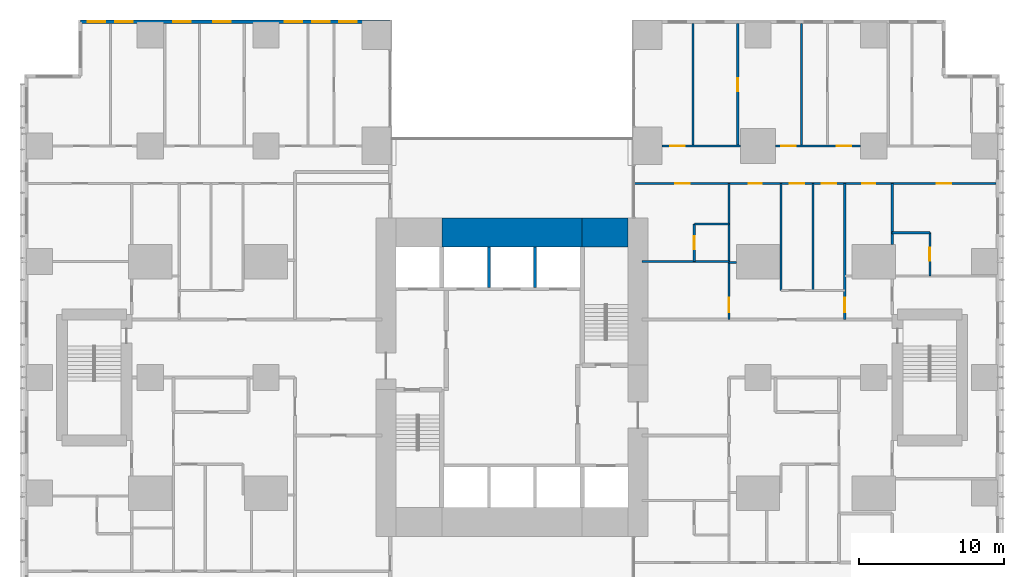
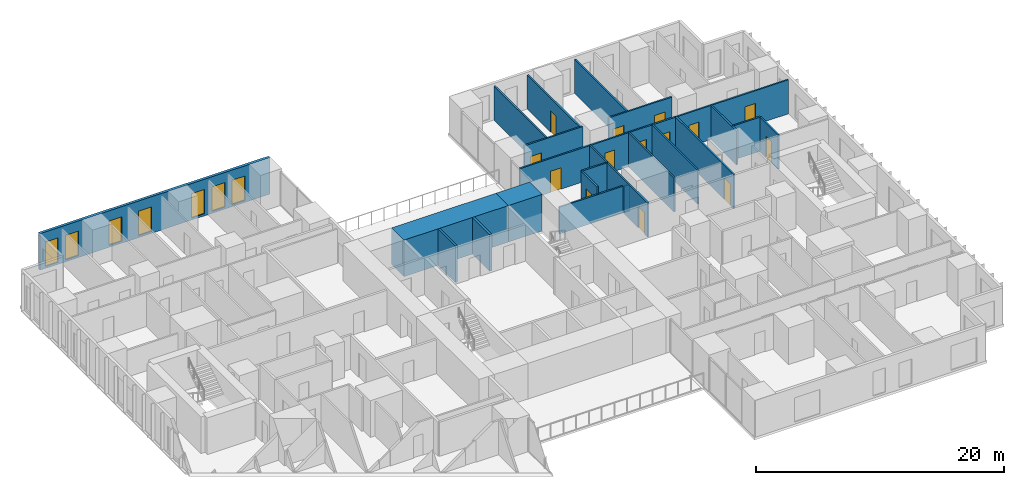
# One storey, part 17 of 20: 22 walls, 14 doors, 7 windows, 21 openings.
"""IFC4 building model written with IfcOpenShell, lengths in metres."""

import ifcopenshell
import ifcopenshell.guid

model = None  # the IFC model being written
_history = None  # IfcOwnerHistory: only IFC2X3 demands one
_inside = {}  # id of a spatial element -> (the spatial element, [elements in it])
_under = {}  # id of a project, library or spatial element -> (it, [spatial elements below it])
_declared = {}  # id of a project -> (the project, [libraries it declares])
_typed = {}  # id of a type object -> (the type object, [elements of that type])
_made_of = {}  # id of a material, layer set ... -> (it, [elements and type objects made of it])


def new_model(schema):
    """Start an empty IFC model of exactly this schema.

    Asked for "IFC4X3", IfcOpenShell would pick the latest addendum, in which some entities
    have other attributes; the version numbers below select the first issue.
    IFC2X3 requires an IfcOwnerHistory on every rooted entity: one is made here for all.
    """
    global model, _history
    if schema == "IFC4X3":
        model = ifcopenshell.file(schema_version=(4, 3, 0, 0))
    else:
        model = ifcopenshell.file(schema=schema)
    _inside.clear()
    _under.clear()
    _declared.clear()
    _typed.clear()
    _made_of.clear()
    _history = None
    if model.schema == "IFC2X3":
        org = make("IfcOrganization", Name="unknown")
        user = make(
            "IfcPersonAndOrganization",
            ThePerson=make("IfcPerson", FamilyName="unknown"),
            TheOrganization=org,
        )
        app = make(
            "IfcApplication",
            ApplicationDeveloper=org,
            Version="unknown",
            ApplicationFullName="unknown",
            ApplicationIdentifier="unknown",
        )
        _history = make(
            "IfcOwnerHistory",
            OwningUser=user,
            OwningApplication=app,
            ChangeAction="ADDED",
            CreationDate=0,
        )
    return model


def make(cls, **values):
    """One entity of the class cls with the attributes given. An attribute that is None is left unset."""
    return model.create_entity(
        cls, **{name: value for name, value in values.items() if value is not None}
    )


def rooted(cls, **values):
    """An entity with a GlobalId (a new one), such as an element, a storey or a relation."""
    return make(cls, GlobalId=ifcopenshell.guid.new(), OwnerHistory=_history, **values)


def si_unit(unit_type, name, prefix=None):
    """IfcSIUnit, for example si_unit("LENGTHUNIT", "METRE", prefix="MILLI")."""
    return make("IfcSIUnit", UnitType=unit_type, Prefix=prefix, Name=name)


def assignment(units):
    """IfcUnitAssignment: the units of a project."""
    return None if units is None else make("IfcUnitAssignment", Units=units)


def point(xyz):
    """IfcCartesianPoint."""
    return None if xyz is None else make("IfcCartesianPoint", Coordinates=xyz)


def direction(xyz):
    """IfcDirection."""
    return None if xyz is None else make("IfcDirection", DirectionRatios=xyz)


def frame(location, z_axis=None, x_axis=None):
    """IfcAxis2Placement3D, a coordinate frame: its origin and axes. An axis left out is left unset."""
    return make(
        "IfcAxis2Placement3D",
        Location=point(location),
        Axis=direction(z_axis),
        RefDirection=direction(x_axis),
    )


def frame_2d(location, x_axis=None):
    """IfcAxis2Placement2D, a coordinate frame in the plane: its origin and x axis."""
    return make(
        "IfcAxis2Placement2D", Location=point(location), RefDirection=direction(x_axis)
    )


def origin():
    """The frame at (0, 0, 0) with its axes left unset."""
    return frame((0.0, 0.0, 0.0))


def place(relative_to, where):
    """IfcLocalPlacement: puts the frame where relative to a parent placement (None: the world)."""
    return make(
        "IfcLocalPlacement", PlacementRelTo=relative_to, RelativePlacement=where
    )


def context(
    kind, dimensions, precision=None, world=None, true_north=None, identifier=None
):
    """IfcGeometricRepresentationContext, for example the 3D "Model" context."""
    return make(
        "IfcGeometricRepresentationContext",
        ContextIdentifier=identifier,
        ContextType=kind,
        CoordinateSpaceDimension=dimensions,
        Precision=precision,
        WorldCoordinateSystem=world,
        TrueNorth=true_north,
    )


def subcontext(parent, identifier, kind, view, scale=None):
    """IfcGeometricRepresentationSubContext, for example "Body" below "Model"."""
    return make(
        "IfcGeometricRepresentationSubContext",
        ContextIdentifier=identifier,
        ContextType=kind,
        ParentContext=parent,
        TargetScale=scale,
        TargetView=view,
    )


def project(units=None, contexts=None):
    """IfcProject with its units and contexts."""
    return rooted(
        "IfcProject",
        Name="project",
        RepresentationContexts=contexts,
        UnitsInContext=assignment(units),
    )


def spatial(cls, under=None, at=None, **own):
    """A site, building, storey or space (cls), placed at a placement, below another one or the project."""
    s = rooted(cls, ObjectPlacement=at, **own)
    if under is not None:
        _under.setdefault(under.id(), (under, []))[1].append(s)
    return s


def profile(cls, at=None, kind="AREA", **sizes):
    """A parametric profile (cls). Its sizes go by their IFC names, for example OverallWidth=200.0."""
    return make(cls, ProfileType=kind, Position=at, **sizes)


def rectangle(**sizes):
    """IfcRectangleProfileDef."""
    return profile("IfcRectangleProfileDef", **sizes)


def extrude(swept, where, along, depth):
    """IfcExtrudedAreaSolid: the profile swept, set in the frame where, extruded along a direction by depth."""
    return make(
        "IfcExtrudedAreaSolid",
        SweptArea=swept,
        Position=where,
        ExtrudedDirection=direction(along),
        Depth=depth,
    )


def shape(context_of_items, identifier, shape_type, items):
    """IfcShapeRepresentation: the items that make up one representation, for example the "Body"."""
    return make(
        "IfcShapeRepresentation",
        ContextOfItems=context_of_items,
        RepresentationIdentifier=identifier,
        RepresentationType=shape_type,
        Items=items,
    )


def material(Name=None, Category=None):
    """IfcMaterial."""
    return make("IfcMaterial", Name=Name, Category=Category)


def layer(
    of_material, thickness, ventilated=None, Name=None, Category=None, Priority=None
):
    """IfcMaterialLayer: one layer of a wall or slab, of a material (None: an air gap)."""
    return make(
        "IfcMaterialLayer",
        Material=of_material,
        LayerThickness=thickness,
        IsVentilated=ventilated,
        Name=Name,
        Category=Category,
        Priority=Priority,
    )


def layer_set(layers, Name=None):
    """IfcMaterialLayerSet."""
    return make("IfcMaterialLayerSet", MaterialLayers=layers, LayerSetName=Name)


def made_of(thing, what):
    """Note that an element or type object is made of a material, layer set ...; save() writes the relation."""
    if what is not None:
        _made_of.setdefault(what.id(), (what, []))[1].append(thing)
    return thing


def type_object(cls, material=None, **own):
    """A type object (cls), such as IfcWallType, which elements share."""
    return made_of(rooted(cls, **own), material)


def element(
    cls,
    number,
    at=None,
    inside=None,
    cuts=None,
    type_object=None,
    material=None,
    context=None,
    identifier="Body",
    shape_type=None,
    held_by="IfcProductDefinitionShape",
    body=None,
    shapes=None,
    **own,
):
    """One element of the class cls, such as IfcWall. Its Tag is "e" and its number.

    at: its placement. inside: the storey or other place that contains it. cuts: it is an
    opening in that element (IfcRelVoidsElement). A single representation is given by context,
    identifier, shape_type and body (its items); several are given by shapes. held_by: the class
    of the entity that holds the representations. save() writes the other relations.
    """
    e = rooted(cls, Tag="e%d" % number, ObjectPlacement=at, **own)
    if body is not None:
        shapes = [shape(context, identifier, shape_type, body)]
    if shapes is not None:
        e.Representation = make(held_by, Representations=shapes)
    if inside is not None:
        _inside.setdefault(inside.id(), (inside, []))[1].append(e)
    if cuts is not None:
        rooted(
            "IfcRelVoidsElement", RelatingBuildingElement=cuts, RelatedOpeningElement=e
        )
    if type_object is not None:
        _typed.setdefault(type_object.id(), (type_object, []))[1].append(e)
    return made_of(e, material)


def fill(opening, filler):
    """IfcRelFillsElement: the door or window that sits in an opening."""
    return rooted(
        "IfcRelFillsElement",
        RelatingOpeningElement=opening,
        RelatedBuildingElement=filler,
    )


def aggregate(whole, parts):
    """IfcRelAggregates: a whole, such as a stair, and the parts it consists of."""
    return rooted("IfcRelAggregates", RelatingObject=whole, RelatedObjects=parts)


def save(model, path):
    """Write the relations noted so far, then the file.

    IfcRelAggregates (storeys below a building ...), IfcRelContainedInSpatialStructure (elements
    in a storey), IfcRelDefinesByType, IfcRelAssociatesMaterial and IfcRelDeclares: one each for
    every whole, place, type object, material and project.
    """
    for whole, parts in _under.values():
        aggregate(whole, parts)
    for where, things in _inside.values():
        rooted(
            "IfcRelContainedInSpatialStructure",
            RelatedElements=things,
            RelatingStructure=where,
        )
    for kind, things in _typed.values():
        rooted("IfcRelDefinesByType", RelatedObjects=things, RelatingType=kind)
    for what, things in _made_of.values():
        rooted("IfcRelAssociatesMaterial", RelatedObjects=things, RelatingMaterial=what)
    for by, libraries in _declared.values():
        rooted("IfcRelDeclares", RelatingContext=by, RelatedDefinitions=libraries)
    model.write(path)


model = new_model("IFC4")

# Units and contexts
model_context = context("Model", 3, precision=1e-05, world=origin(), true_north=direction((0.0, 1.0)))
body_context = subcontext(model_context, "Body", "Model", "MODEL_VIEW")
ifc_project = project(units=[si_unit("LENGTHUNIT", "METRE"), si_unit("AREAUNIT", "SQUARE_METRE"), si_unit("VOLUMEUNIT", "CUBIC_METRE"), si_unit("PLANEANGLEUNIT", "RADIAN"), si_unit("MASSUNIT", "GRAM", prefix="KILO")], contexts=[model_context])

# Site, building, storey
site_placement = place(None, origin())
site = spatial("IfcSite", under=ifc_project, at=site_placement, CompositionType="ELEMENT")
building_placement = place(site_placement, origin())
building = spatial("IfcBuilding", under=site, at=building_placement, Name="Cleftline Residences", CompositionType="ELEMENT")
storey_placement = place(building_placement, frame((0.0, 0.0, 182.199951171875)))
storey = spatial("IfcBuildingStorey", under=building, at=storey_placement, Name="L47", CompositionType="ELEMENT", Elevation=182.199951171875)

# Walls
ifc_material_1 = material(Name="Concrete B70", Category="concrete")
ifc_layer_1 = layer(ifc_material_1, 2.0)
ifc_layer_set_1 = layer_set([ifc_layer_1], Name="CORE WALL 2000")
wall_type_1 = type_object("IfcWallType", Name="CORE WALL 2000", PredefinedType="SHEAR", material=ifc_layer_set_1)
wall_1_placement = place(storey_placement, frame((28.14990234375, 34.0, 0.0), z_axis=(0.0, 0.0, 1.0), x_axis=(1.0, 0.0, 0.0)))
element("IfcWall", 1, at=wall_1_placement, inside=storey, type_object=wall_type_1, Name="Core wall N2", PredefinedType="SHEAR", context=body_context, shape_type="SweptSolid", body=[
    extrude(rectangle(XDim=9.7001953125, YDim=2.0, at=frame_2d((4.85009765625, 0.0))), origin(), (0.0, 0.0, 1.0), 3.60009765625),
])
wall_2_placement = place(storey_placement, frame((37.85009765625, 34.0, 0.0), z_axis=(0.0, 0.0, 1.0), x_axis=(1.0, 0.0, 0.0)))
element("IfcWall", 2, at=wall_2_placement, inside=storey, type_object=wall_type_1, Name="Core wall N3", PredefinedType="SHEAR", context=body_context, shape_type="SweptSolid", body=[
    extrude(rectangle(XDim=3.14990234375, YDim=2.0, at=frame_2d((1.574951171875, 0.0))), origin(), (0.0, 0.0, 1.0), 3.60009765625),
])

# Wall, openings, windows
ifc_material_2 = material(Name="Rendered reinforced concrete blockwork", Category="masonry")
ifc_layer_2 = layer(ifc_material_2, 0.25)
ifc_layer_set_2 = layer_set([ifc_layer_2], Name="EXTERNAL WALL 250")
wall_type_2 = type_object("IfcWallType", Name="EXTERNAL WALL 250", PredefinedType="SOLIDWALL", material=ifc_layer_set_2)
wall_3_placement = place(storey_placement, frame((24.574951171875, 48.574951171875, 0.0), z_axis=(0.0, 0.0, 1.0), x_axis=(-1.0, 0.0, 0.0)))
wall_3 = element("IfcWall", 3, at=wall_3_placement, inside=storey, type_object=wall_type_2, Name="External wall", PredefinedType="SOLIDWALL", context=body_context, shape_type="SweptSolid", body=[
    extrude(rectangle(XDim=21.39990234375, YDim=0.25, at=frame_2d((10.699951171875, 0.0))), origin(), (0.0, 0.0, 1.0), 3.60009765625),
])
opening_1_placement = place(wall_3_placement, frame((2.300048828125, 0.0, 0.199951171875)))
opening_1 = element("IfcOpeningElement", 4, at=opening_1_placement, cuts=wall_3, Name="Opening W13", PredefinedType="OPENING", context=body_context, shape_type="SweptSolid", body=[
    extrude(rectangle(XDim=1.199951171875, YDim=2.39990234375, at=frame_2d((0.60009765625, 1.199951171875))), frame((0.0, 0.135009765625, 0.0), z_axis=(0.0, -1.0, 0.0), x_axis=(1.0, 0.0, 0.0)), (0.0, 0.0, 1.0), 0.27001953125),
])
opening_2_placement = place(wall_3_placement, frame((4.175048828125, 0.0, 0.199951171875)))
opening_2 = element("IfcOpeningElement", 5, at=opening_2_placement, cuts=wall_3, Name="Opening W13", PredefinedType="OPENING", context=body_context, shape_type="SweptSolid", body=[
    extrude(rectangle(XDim=1.199951171875, YDim=2.39990234375, at=frame_2d((0.60009765625, 1.199951171875))), frame((0.0, 0.135009765625, 0.0), z_axis=(0.0, -1.0, 0.0), x_axis=(1.0, 0.0, 0.0)), (0.0, 0.0, 1.0), 0.27001953125),
])
opening_3_placement = place(wall_3_placement, frame((6.074951171875, 0.0, 0.199951171875)))
opening_3 = element("IfcOpeningElement", 6, at=opening_3_placement, cuts=wall_3, Name="Opening W13", PredefinedType="OPENING", context=body_context, shape_type="SweptSolid", body=[
    extrude(rectangle(XDim=1.199951171875, YDim=2.39990234375, at=frame_2d((0.60009765625, 1.199951171875))), frame((0.0, 0.135009765625, 0.0), z_axis=(0.0, -1.0, 0.0), x_axis=(1.0, 0.0, 0.0)), (0.0, 0.0, 1.0), 0.27001953125),
])
opening_4_placement = place(wall_3_placement, frame((11.02490234375, 0.0, 0.199951171875)))
opening_4 = element("IfcOpeningElement", 7, at=opening_4_placement, cuts=wall_3, Name="Opening W13", PredefinedType="OPENING", context=body_context, shape_type="SweptSolid", body=[
    extrude(rectangle(XDim=1.199951171875, YDim=2.39990234375, at=frame_2d((0.60009765625, 1.199951171875))), frame((0.0, 0.135009765625, 0.0), z_axis=(0.0, -1.0, 0.0), x_axis=(1.0, 0.0, 0.0)), (0.0, 0.0, 1.0), 0.27001953125),
])
opening_5_placement = place(wall_3_placement, frame((13.77490234375, 0.0, 0.199951171875)))
opening_5 = element("IfcOpeningElement", 8, at=opening_5_placement, cuts=wall_3, Name="Opening W13", PredefinedType="OPENING", context=body_context, shape_type="SweptSolid", body=[
    extrude(rectangle(XDim=1.199951171875, YDim=2.39990234375, at=frame_2d((0.60009765625, 1.199951171875))), frame((0.0, 0.135009765625, 0.0), z_axis=(0.0, -1.0, 0.0), x_axis=(1.0, 0.0, 0.0)), (0.0, 0.0, 1.0), 0.27001953125),
])
opening_6_placement = place(wall_3_placement, frame((17.800048828125, 0.0, 0.199951171875)))
opening_6 = element("IfcOpeningElement", 9, at=opening_6_placement, cuts=wall_3, Name="Opening W13", PredefinedType="OPENING", context=body_context, shape_type="SweptSolid", body=[
    extrude(rectangle(XDim=1.199951171875, YDim=2.39990234375, at=frame_2d((0.60009765625, 1.199951171875))), frame((0.0, 0.135009765625, 0.0), z_axis=(0.0, -1.0, 0.0), x_axis=(1.0, 0.0, 0.0)), (0.0, 0.0, 1.0), 0.27001953125),
])
opening_7_placement = place(wall_3_placement, frame((19.699951171875, 0.0, 0.199951171875)))
opening_7 = element("IfcOpeningElement", 10, at=opening_7_placement, cuts=wall_3, Name="Opening W13", PredefinedType="OPENING", context=body_context, shape_type="SweptSolid", body=[
    extrude(rectangle(XDim=1.199951171875, YDim=2.39990234375, at=frame_2d((0.60009765625, 1.199951171875))), frame((0.0, 0.135009765625, 0.0), z_axis=(0.0, -1.0, 0.0), x_axis=(1.0, 0.0, 0.0)), (0.0, 0.0, 1.0), 0.27001953125),
])
ifc_material_3 = material(Name="Aluminium frame, clear double glazing", Category="aluminium")
window_type = type_object("IfcWindowType", Name="WINDOW 1200X2400", PartitioningType="DOUBLE_PANEL_VERTICAL", PredefinedType="WINDOW", material=ifc_material_3)
window_1_placement = place(opening_1_placement, origin())
window_1 = element("IfcWindow", 11, at=window_1_placement, inside=storey, type_object=window_type, Name="Window", OverallHeight=2.39990234375, OverallWidth=1.199951171875, PartitioningType="SINGLE_PANEL", PredefinedType="WINDOW", context=body_context, shape_type="SweptSolid", body=[
    extrude(rectangle(XDim=1.199951171875, YDim=2.39990234375, at=frame_2d((0.60009765625, 1.199951171875))), frame((0.0, 0.030029296875, 0.0), z_axis=(0.0, -1.0, 0.0), x_axis=(1.0, 0.0, 0.0)), (0.0, 0.0, 1.0), 0.06005859375),
])
fill(opening_1, window_1)
window_2_placement = place(opening_2_placement, origin())
window_2 = element("IfcWindow", 12, at=window_2_placement, inside=storey, type_object=window_type, Name="Window", OverallHeight=2.39990234375, OverallWidth=1.199951171875, PartitioningType="SINGLE_PANEL", PredefinedType="WINDOW", context=body_context, shape_type="SweptSolid", body=[
    extrude(rectangle(XDim=1.199951171875, YDim=2.39990234375, at=frame_2d((0.60009765625, 1.199951171875))), frame((0.0, 0.030029296875, 0.0), z_axis=(0.0, -1.0, 0.0), x_axis=(1.0, 0.0, 0.0)), (0.0, 0.0, 1.0), 0.06005859375),
])
fill(opening_2, window_2)
window_3_placement = place(opening_3_placement, origin())
window_3 = element("IfcWindow", 13, at=window_3_placement, inside=storey, type_object=window_type, Name="Window", OverallHeight=2.39990234375, OverallWidth=1.199951171875, PartitioningType="SINGLE_PANEL", PredefinedType="WINDOW", context=body_context, shape_type="SweptSolid", body=[
    extrude(rectangle(XDim=1.199951171875, YDim=2.39990234375, at=frame_2d((0.60009765625, 1.199951171875))), frame((0.0, 0.030029296875, 0.0), z_axis=(0.0, -1.0, 0.0), x_axis=(1.0, 0.0, 0.0)), (0.0, 0.0, 1.0), 0.06005859375),
])
fill(opening_3, window_3)
window_4_placement = place(opening_4_placement, origin())
window_4 = element("IfcWindow", 14, at=window_4_placement, inside=storey, type_object=window_type, Name="Window", OverallHeight=2.39990234375, OverallWidth=1.199951171875, PartitioningType="SINGLE_PANEL", PredefinedType="WINDOW", context=body_context, shape_type="SweptSolid", body=[
    extrude(rectangle(XDim=1.199951171875, YDim=2.39990234375, at=frame_2d((0.60009765625, 1.199951171875))), frame((0.0, 0.030029296875, 0.0), z_axis=(0.0, -1.0, 0.0), x_axis=(1.0, 0.0, 0.0)), (0.0, 0.0, 1.0), 0.06005859375),
])
fill(opening_4, window_4)
window_5_placement = place(opening_5_placement, origin())
window_5 = element("IfcWindow", 15, at=window_5_placement, inside=storey, type_object=window_type, Name="Window", OverallHeight=2.39990234375, OverallWidth=1.199951171875, PartitioningType="SINGLE_PANEL", PredefinedType="WINDOW", context=body_context, shape_type="SweptSolid", body=[
    extrude(rectangle(XDim=1.199951171875, YDim=2.39990234375, at=frame_2d((0.60009765625, 1.199951171875))), frame((0.0, 0.030029296875, 0.0), z_axis=(0.0, -1.0, 0.0), x_axis=(1.0, 0.0, 0.0)), (0.0, 0.0, 1.0), 0.06005859375),
])
fill(opening_5, window_5)
window_6_placement = place(opening_6_placement, origin())
window_6 = element("IfcWindow", 16, at=window_6_placement, inside=storey, type_object=window_type, Name="Window", OverallHeight=2.39990234375, OverallWidth=1.199951171875, PartitioningType="SINGLE_PANEL", PredefinedType="WINDOW", context=body_context, shape_type="SweptSolid", body=[
    extrude(rectangle(XDim=1.199951171875, YDim=2.39990234375, at=frame_2d((0.60009765625, 1.199951171875))), frame((0.0, 0.030029296875, 0.0), z_axis=(0.0, -1.0, 0.0), x_axis=(1.0, 0.0, 0.0)), (0.0, 0.0, 1.0), 0.06005859375),
])
fill(opening_6, window_6)
window_7_placement = place(opening_7_placement, origin())
window_7 = element("IfcWindow", 17, at=window_7_placement, inside=storey, type_object=window_type, Name="Window", OverallHeight=2.39990234375, OverallWidth=1.199951171875, PartitioningType="SINGLE_PANEL", PredefinedType="WINDOW", context=body_context, shape_type="SweptSolid", body=[
    extrude(rectangle(XDim=1.199951171875, YDim=2.39990234375, at=frame_2d((0.60009765625, 1.199951171875))), frame((0.0, 0.030029296875, 0.0), z_axis=(0.0, -1.0, 0.0), x_axis=(1.0, 0.0, 0.0)), (0.0, 0.0, 1.0), 0.06005859375),
])
fill(opening_7, window_7)

# Walls
ifc_material_4 = material(Name="Gypsum board on steel studs", Category="steel")
ifc_layer_3 = layer(ifc_material_4, 0.14990234375)
ifc_layer_set_3 = layer_set([ifc_layer_3], Name="PARTITION 150")
wall_type_3 = type_object("IfcWallType", Name="PARTITION 150", PredefinedType="PARTITIONING", material=ifc_layer_set_3)
wall_4_placement = place(storey_placement, frame((48.0, 31.949951171875, 0.0), z_axis=(0.0, 0.0, 1.0), x_axis=(1.0, 0.0, 0.0)))
element("IfcWall", 18, at=wall_4_placement, inside=storey, type_object=wall_type_3, Name="Partition", PredefinedType="PARTITIONING", context=body_context, shape_type="SweptSolid", body=[
    extrude(rectangle(XDim=0.5, YDim=0.14990234375, at=frame_2d((0.25, 0.0))), origin(), (0.0, 0.0, 1.0), 2.634033203125),
])
wall_5_placement = place(storey_placement, frame((42.0, 32.0, 0.0), z_axis=(0.0, 0.0, 1.0), x_axis=(1.0, 0.0, 0.0)))
element("IfcWall", 19, at=wall_5_placement, inside=storey, type_object=wall_type_3, Name="Partition", PredefinedType="PARTITIONING", context=body_context, shape_type="SweptSolid", body=[
    extrude(rectangle(XDim=6.0, YDim=0.14990234375, at=frame_2d((3.0, 0.0))), origin(), (0.0, 0.0, 1.0), 2.634033203125),
])
wall_6_placement = place(storey_placement, frame((59.27490234375, 34.0, 0.0), z_axis=(0.0, 0.0, 1.0), x_axis=(1.0, 0.0, 0.0)))
element("IfcWall", 20, at=wall_6_placement, inside=storey, type_object=wall_type_3, Name="Partition", PredefinedType="PARTITIONING", context=body_context, shape_type="SweptSolid", body=[
    extrude(rectangle(XDim=2.60009765625, YDim=0.14990234375, at=frame_2d((1.300048828125, 0.0))), origin(), (0.0, 0.0, 1.0), 3.35009765625),
])
wall_7_placement = place(storey_placement, frame((45.60009765625, 34.60009765625, 0.0), z_axis=(0.0, 0.0, 1.0), x_axis=(1.0, 0.0, 0.0)))
element("IfcWall", 21, at=wall_7_placement, inside=storey, type_object=wall_type_3, Name="Partition", PredefinedType="PARTITIONING", context=body_context, shape_type="SweptSolid", body=[
    extrude(rectangle(XDim=2.39990234375, YDim=0.14990234375, at=frame_2d((1.199951171875, 0.0))), origin(), (0.0, 0.0, 1.0), 3.35009765625),
])

# Wall, openings, doors
wall_8_placement = place(storey_placement, frame((41.43896484375, 37.39990234375, 0.0), z_axis=(0.0, 0.0, 1.0), x_axis=(1.0, 0.0, 0.0)))
wall_8 = element("IfcWall", 22, at=wall_8_placement, inside=storey, type_object=wall_type_3, Name="Partition", PredefinedType="PARTITIONING", context=body_context, shape_type="SweptSolid", body=[
    extrude(rectangle(XDim=25.010986328125, YDim=0.14990234375, at=frame_2d((12.50537109375, 0.0))), origin(), (0.0, 0.0, 1.0), 3.35009765625),
])
opening_8_placement = place(wall_8_placement, frame((10.760986328125, 0.0, 0.0)))
opening_8 = element("IfcOpeningElement", 23, at=opening_8_placement, cuts=wall_8, Name="Opening D2", PredefinedType="OPENING", context=body_context, shape_type="SweptSolid", body=[
    extrude(rectangle(XDim=1.0, YDim=2.10009765625, at=frame_2d((0.5, 1.050048828125))), frame((0.0, 0.0849609375, 0.0), z_axis=(0.0, -1.0, 0.0), x_axis=(1.0, 0.0, 0.0)), (0.0, 0.0, 1.0), 0.169921875),
])
opening_9_placement = place(wall_8_placement, frame((20.923583984375, 0.0, 0.0)))
opening_9 = element("IfcOpeningElement", 24, at=opening_9_placement, cuts=wall_8, Name="Opening D2", PredefinedType="OPENING", context=body_context, shape_type="SweptSolid", body=[
    extrude(rectangle(XDim=1.0, YDim=2.10009765625, at=frame_2d((0.5, 1.050048828125))), frame((0.0, 0.0849609375, 0.0), z_axis=(0.0, -1.0, 0.0), x_axis=(1.0, 0.0, 0.0)), (0.0, 0.0, 1.0), 0.169921875),
])
opening_10_placement = place(wall_8_placement, frame((15.74853515625, 0.0, 0.0)))
opening_10 = element("IfcOpeningElement", 25, at=opening_10_placement, cuts=wall_8, Name="Opening D1", PredefinedType="OPENING", context=body_context, shape_type="SweptSolid", body=[
    extrude(rectangle(XDim=0.89990234375, YDim=2.10009765625, at=frame_2d((0.449951171875, 1.050048828125))), frame((0.0, 0.0849609375, 0.0), z_axis=(0.0, -1.0, 0.0), x_axis=(1.0, 0.0, 0.0)), (0.0, 0.0, 1.0), 0.169921875),
])
opening_11_placement = place(wall_8_placement, frame((12.9609375, 0.0, 0.0)))
opening_11 = element("IfcOpeningElement", 26, at=opening_11_placement, cuts=wall_8, Name="Opening D2", PredefinedType="OPENING", context=body_context, shape_type="SweptSolid", body=[
    extrude(rectangle(XDim=1.0, YDim=2.10009765625, at=frame_2d((0.5, 1.050048828125))), frame((0.0, 0.0849609375, 0.0), z_axis=(0.0, -1.0, 0.0), x_axis=(1.0, 0.0, 0.0)), (0.0, 0.0, 1.0), 0.169921875),
])
opening_12_placement = place(wall_8_placement, frame((7.910888671875, 0.0, 0.0)))
opening_12 = element("IfcOpeningElement", 27, at=opening_12_placement, cuts=wall_8, Name="Opening D1", PredefinedType="OPENING", context=body_context, shape_type="SweptSolid", body=[
    extrude(rectangle(XDim=0.89990234375, YDim=2.10009765625, at=frame_2d((0.449951171875, 1.050048828125))), frame((0.0, 0.0849609375, 0.0), z_axis=(0.0, -1.0, 0.0), x_axis=(1.0, 0.0, 0.0)), (0.0, 0.0, 1.0), 0.169921875),
])
opening_13_placement = place(wall_8_placement, frame((2.8359375, 0.0, 0.0)))
opening_13 = element("IfcOpeningElement", 28, at=opening_13_placement, cuts=wall_8, Name="Opening D2", PredefinedType="OPENING", context=body_context, shape_type="SweptSolid", body=[
    extrude(rectangle(XDim=1.0, YDim=2.10009765625, at=frame_2d((0.5, 1.050048828125))), frame((0.0, 0.0849609375, 0.0), z_axis=(0.0, -1.0, 0.0), x_axis=(1.0, 0.0, 0.0)), (0.0, 0.0, 1.0), 0.169921875),
])
ifc_material_5 = material(Name="Timber veneer on solid core", Category="wood")
door_type_1 = type_object("IfcDoorType", Name="DOOR 1000X2100", OperationType="SINGLE_SWING_LEFT", PredefinedType="DOOR", material=ifc_material_5)
door_1_placement = place(opening_8_placement, origin())
door_1 = element("IfcDoor", 29, at=door_1_placement, inside=storey, type_object=door_type_1, Name="Door to residence hall", OperationType="SINGLE_SWING_RIGHT", OverallHeight=2.10009765625, OverallWidth=1.0, PredefinedType="DOOR", context=body_context, shape_type="SweptSolid", body=[
    extrude(rectangle(XDim=1.0, YDim=2.10009765625, at=frame_2d((0.5, 1.050048828125))), frame((0.0, 0.02490234375, 0.0), z_axis=(0.0, -1.0, 0.0), x_axis=(1.0, 0.0, 0.0)), (0.0, 0.0, 1.0), 0.050048828125),
])
fill(opening_8, door_1)
door_2_placement = place(opening_9_placement, origin())
door_2 = element("IfcDoor", 30, at=door_2_placement, inside=storey, type_object=door_type_1, Name="Door to master bedroom", OperationType="SINGLE_SWING_LEFT", OverallHeight=2.10009765625, OverallWidth=1.0, PredefinedType="DOOR", context=body_context, shape_type="SweptSolid", body=[
    extrude(rectangle(XDim=1.0, YDim=2.10009765625, at=frame_2d((0.5, 1.050048828125))), frame((0.0, 0.02490234375, 0.0), z_axis=(0.0, -1.0, 0.0), x_axis=(1.0, 0.0, 0.0)), (0.0, 0.0, 1.0), 0.050048828125),
])
fill(opening_9, door_2)
door_3_placement = place(opening_11_placement, origin())
door_3 = element("IfcDoor", 31, at=door_3_placement, inside=storey, type_object=door_type_1, Name="Door to media room", OperationType="SINGLE_SWING_LEFT", OverallHeight=2.10009765625, OverallWidth=1.0, PredefinedType="DOOR", context=body_context, shape_type="SweptSolid", body=[
    extrude(rectangle(XDim=1.0, YDim=2.10009765625, at=frame_2d((0.5, 1.050048828125))), frame((0.0, 0.02490234375, 0.0), z_axis=(0.0, -1.0, 0.0), x_axis=(1.0, 0.0, 0.0)), (0.0, 0.0, 1.0), 0.050048828125),
])
fill(opening_11, door_3)
door_4_placement = place(opening_13_placement, origin())
door_4 = element("IfcDoor", 32, at=door_4_placement, inside=storey, type_object=door_type_1, Name="Door to bedroom 5", OperationType="SINGLE_SWING_RIGHT", OverallHeight=2.10009765625, OverallWidth=1.0, PredefinedType="DOOR", context=body_context, shape_type="SweptSolid", body=[
    extrude(rectangle(XDim=1.0, YDim=2.10009765625, at=frame_2d((0.5, 1.050048828125))), frame((0.0, 0.02490234375, 0.0), z_axis=(0.0, -1.0, 0.0), x_axis=(1.0, 0.0, 0.0)), (0.0, 0.0, 1.0), 0.050048828125),
])
fill(opening_13, door_4)
ifc_material_6 = material(Name="Timber veneer on solid core", Category="wood")
door_type_2 = type_object("IfcDoorType", Name="DOOR 900X2100", OperationType="SINGLE_SWING_LEFT", PredefinedType="DOOR", material=ifc_material_6)
door_5_placement = place(opening_10_placement, origin())
door_5 = element("IfcDoor", 33, at=door_5_placement, inside=storey, type_object=door_type_2, Name="Door to bedroom 2 bathroom", OperationType="SINGLE_SWING_LEFT", OverallHeight=2.10009765625, OverallWidth=0.89990234375, PredefinedType="DOOR", context=body_context, shape_type="SweptSolid", body=[
    extrude(rectangle(XDim=0.89990234375, YDim=2.10009765625, at=frame_2d((0.449951171875, 1.050048828125))), frame((0.0, 0.02490234375, 0.0), z_axis=(0.0, -1.0, 0.0), x_axis=(1.0, 0.0, 0.0)), (0.0, 0.0, 1.0), 0.050048828125),
])
fill(opening_10, door_5)
door_6_placement = place(opening_12_placement, origin())
door_6 = element("IfcDoor", 34, at=door_6_placement, inside=storey, type_object=door_type_2, Name="Door to linen store", OperationType="SINGLE_SWING_RIGHT", OverallHeight=2.10009765625, OverallWidth=0.89990234375, PredefinedType="DOOR", context=body_context, shape_type="SweptSolid", body=[
    extrude(rectangle(XDim=0.89990234375, YDim=2.10009765625, at=frame_2d((0.449951171875, 1.050048828125))), frame((0.0, 0.02490234375, 0.0), z_axis=(0.0, -1.0, 0.0), x_axis=(1.0, 0.0, 0.0)), (0.0, 0.0, 1.0), 0.050048828125),
])
fill(opening_12, door_6)

# Wall, opening, door
wall_9_placement = place(storey_placement, frame((43.35009765625, 40.0, 0.0), z_axis=(0.0, 0.0, 1.0), x_axis=(1.0, 0.0, 0.0)))
wall_9 = element("IfcWall", 35, at=wall_9_placement, inside=storey, type_object=wall_type_3, Name="Partition", PredefinedType="PARTITIONING", context=body_context, shape_type="SweptSolid", body=[
    extrude(rectangle(XDim=5.449951171875, YDim=0.14990234375, at=frame_2d((2.72509765625, 0.0))), origin(), (0.0, 0.0, 1.0), 3.35009765625),
])
opening_14_placement = place(wall_9_placement, frame((0.574951171875, 0.0, 0.0)))
opening_14 = element("IfcOpeningElement", 36, at=opening_14_placement, cuts=wall_9, Name="Opening D2", PredefinedType="OPENING", context=body_context, shape_type="SweptSolid", body=[
    extrude(rectangle(XDim=1.0, YDim=2.10009765625, at=frame_2d((0.5, 1.050048828125))), frame((0.0, 0.0849609375, 0.0), z_axis=(0.0, -1.0, 0.0), x_axis=(1.0, 0.0, 0.0)), (0.0, 0.0, 1.0), 0.169921875),
])
door_7_placement = place(opening_14_placement, origin())
door_7 = element("IfcDoor", 37, at=door_7_placement, inside=storey, type_object=door_type_1, Name="Door to family room", OperationType="SINGLE_SWING_RIGHT", OverallHeight=2.10009765625, OverallWidth=1.0, PredefinedType="DOOR", context=body_context, shape_type="SweptSolid", body=[
    extrude(rectangle(XDim=1.0, YDim=2.10009765625, at=frame_2d((0.5, 1.050048828125))), frame((0.0, 0.02490234375, 0.0), z_axis=(0.0, -1.0, 0.0), x_axis=(1.0, 0.0, 0.0)), (0.0, 0.0, 1.0), 0.050048828125),
])
fill(opening_14, door_7)

# Wall, openings, doors
wall_10_placement = place(storey_placement, frame((51.199951171875, 40.0, 0.0), z_axis=(0.0, 0.0, 1.0), x_axis=(1.0, 0.0, 0.0)))
wall_10 = element("IfcWall", 38, at=wall_10_placement, inside=storey, type_object=wall_type_3, Name="Partition", PredefinedType="PARTITIONING", context=body_context, shape_type="SweptSolid", body=[
    extrude(rectangle(XDim=5.900146484375, YDim=0.14990234375, at=frame_2d((2.9501953125, 0.0))), origin(), (0.0, 0.0, 1.0), 3.35009765625),
])
opening_15_placement = place(wall_10_placement, frame((4.25, 0.0, 0.0)))
opening_15 = element("IfcOpeningElement", 39, at=opening_15_placement, cuts=wall_10, Name="Opening D2", PredefinedType="OPENING", context=body_context, shape_type="SweptSolid", body=[
    extrude(rectangle(XDim=1.0, YDim=2.10009765625, at=frame_2d((0.5, 1.050048828125))), frame((0.0, 0.0849609375, 0.0), z_axis=(0.0, -1.0, 0.0), x_axis=(1.0, 0.0, 0.0)), (0.0, 0.0, 1.0), 0.169921875),
])
opening_16_placement = place(wall_10_placement, frame((0.39990234375, 0.0, 0.0)))
opening_16 = element("IfcOpeningElement", 40, at=opening_16_placement, cuts=wall_10, Name="Opening D2", PredefinedType="OPENING", context=body_context, shape_type="SweptSolid", body=[
    extrude(rectangle(XDim=1.0, YDim=2.10009765625, at=frame_2d((0.5, 1.050048828125))), frame((0.0, 0.0849609375, 0.0), z_axis=(0.0, -1.0, 0.0), x_axis=(1.0, 0.0, 0.0)), (0.0, 0.0, 1.0), 0.169921875),
])
door_8_placement = place(opening_15_placement, origin())
door_8 = element("IfcDoor", 41, at=door_8_placement, inside=storey, type_object=door_type_1, Name="Door to bedroom 3", OperationType="SINGLE_SWING_LEFT", OverallHeight=2.10009765625, OverallWidth=1.0, PredefinedType="DOOR", context=body_context, shape_type="SweptSolid", body=[
    extrude(rectangle(XDim=1.0, YDim=2.10009765625, at=frame_2d((0.5, 1.050048828125))), frame((0.0, 0.02490234375, 0.0), z_axis=(0.0, -1.0, 0.0), x_axis=(1.0, 0.0, 0.0)), (0.0, 0.0, 1.0), 0.050048828125),
])
fill(opening_15, door_8)
door_9_placement = place(opening_16_placement, origin())
door_9 = element("IfcDoor", 42, at=door_9_placement, inside=storey, type_object=door_type_1, Name="Door to bedroom 4", OperationType="SINGLE_SWING_RIGHT", OverallHeight=2.10009765625, OverallWidth=1.0, PredefinedType="DOOR", context=body_context, shape_type="SweptSolid", body=[
    extrude(rectangle(XDim=1.0, YDim=2.10009765625, at=frame_2d((0.5, 1.050048828125))), frame((0.0, 0.02490234375, 0.0), z_axis=(0.0, -1.0, 0.0), x_axis=(1.0, 0.0, 0.0)), (0.0, 0.0, 1.0), 0.050048828125),
])
fill(opening_16, door_9)

# Wall
wall_11_placement = place(storey_placement, frame((45.5, 40.0, 0.0), z_axis=(0.0, 0.0, 1.0), x_axis=(0.0, 1.0, 0.0)))
element("IfcWall", 43, at=wall_11_placement, inside=storey, type_object=wall_type_3, Name="Partition", PredefinedType="PARTITIONING", context=body_context, shape_type="SweptSolid", body=[
    extrude(rectangle(XDim=8.449951171875, YDim=0.14990234375, at=frame_2d((4.22509765625, 0.0))), origin(), (0.0, 0.0, 1.0), 3.35009765625),
])

# Wall, opening, door
wall_12_placement = place(storey_placement, frame((45.60009765625, 32.0, 0.0), z_axis=(0.0, 0.0, 1.0), x_axis=(0.0, 1.0, 0.0)))
wall_12 = element("IfcWall", 44, at=wall_12_placement, inside=storey, type_object=wall_type_3, Name="Partition", PredefinedType="PARTITIONING", context=body_context, shape_type="SweptSolid", body=[
    extrude(rectangle(XDim=2.60009765625, YDim=0.14990234375, at=frame_2d((1.300048828125, 0.0))), origin(), (0.0, 0.0, 1.0), 3.35009765625),
])
opening_17_placement = place(wall_12_placement, frame((0.85009765625, 0.0, 0.0)))
opening_17 = element("IfcOpeningElement", 45, at=opening_17_placement, cuts=wall_12, Name="Opening D1", PredefinedType="OPENING", context=body_context, shape_type="SweptSolid", body=[
    extrude(rectangle(XDim=0.89990234375, YDim=2.10009765625, at=frame_2d((0.449951171875, 1.050048828125))), frame((0.0, 0.0849609375, 0.0), z_axis=(0.0, -1.0, 0.0), x_axis=(1.0, 0.0, 0.0)), (0.0, 0.0, 1.0), 0.169921875),
])
door_10_placement = place(opening_17_placement, origin())
door_10 = element("IfcDoor", 46, at=door_10_placement, inside=storey, type_object=door_type_2, Name="Door to en-suite bathroom 5", OperationType="SINGLE_SWING_LEFT", OverallHeight=2.10009765625, OverallWidth=0.89990234375, PredefinedType="DOOR", context=body_context, shape_type="SweptSolid", body=[
    extrude(rectangle(XDim=0.89990234375, YDim=2.10009765625, at=frame_2d((0.449951171875, 1.050048828125))), frame((0.0, 0.02490234375, 0.0), z_axis=(0.0, -1.0, 0.0), x_axis=(1.0, 0.0, 0.0)), (0.0, 0.0, 1.0), 0.050048828125),
])
fill(opening_17, door_10)

wall_13_placement = place(storey_placement, frame((48.0, 28.0, 0.0), z_axis=(0.0, 0.0, 1.0), x_axis=(0.0, 1.0, 0.0)))
wall_13 = element("IfcWall", 47, at=wall_13_placement, inside=storey, type_object=wall_type_3, Name="Partition", PredefinedType="PARTITIONING", context=body_context, shape_type="SweptSolid", body=[
    extrude(rectangle(XDim=9.39990234375, YDim=0.14990234375, at=frame_2d((4.699951171875, 0.0))), origin(), (0.0, 0.0, 1.0), 3.35009765625),
])
opening_18_placement = place(wall_13_placement, frame((0.5, 0.0, 0.0)))
opening_18 = element("IfcOpeningElement", 48, at=opening_18_placement, cuts=wall_13, Name="Opening D2", PredefinedType="OPENING", context=body_context, shape_type="SweptSolid", body=[
    extrude(rectangle(XDim=1.0, YDim=2.10009765625, at=frame_2d((0.5, 1.050048828125))), frame((0.0, 0.0849609375, 0.0), z_axis=(0.0, -1.0, 0.0), x_axis=(1.0, 0.0, 0.0)), (0.0, 0.0, 1.0), 0.169921875),
])
door_11_placement = place(opening_18_placement, origin())
door_11 = element("IfcDoor", 49, at=door_11_placement, inside=storey, type_object=door_type_1, Name="Door to morning kitchen", OperationType="SINGLE_SWING_RIGHT", OverallHeight=2.10009765625, OverallWidth=1.0, PredefinedType="DOOR", context=body_context, shape_type="SweptSolid", body=[
    extrude(rectangle(XDim=1.0, YDim=2.10009765625, at=frame_2d((0.5, 1.050048828125))), frame((0.0, 0.02490234375, 0.0), z_axis=(0.0, -1.0, 0.0), x_axis=(1.0, 0.0, 0.0)), (0.0, 0.0, 1.0), 0.050048828125),
])
fill(opening_18, door_11)

wall_14_placement = place(storey_placement, frame((48.60009765625, 40.0, 0.0), z_axis=(0.0, 0.0, 1.0), x_axis=(0.0, 1.0, 0.0)))
wall_14 = element("IfcWall", 50, at=wall_14_placement, inside=storey, type_object=wall_type_3, Name="Partition", PredefinedType="PARTITIONING", context=body_context, shape_type="SweptSolid", body=[
    extrude(rectangle(XDim=8.449951171875, YDim=0.14990234375, at=frame_2d((4.22509765625, 0.0))), origin(), (0.0, 0.0, 1.0), 3.35009765625),
])
opening_19_placement = place(wall_14_placement, frame((3.77490234375, 0.0, 0.0)))
opening_19 = element("IfcOpeningElement", 51, at=opening_19_placement, cuts=wall_14, Name="Opening D1", PredefinedType="OPENING", context=body_context, shape_type="SweptSolid", body=[
    extrude(rectangle(XDim=0.89990234375, YDim=2.10009765625, at=frame_2d((0.449951171875, 1.050048828125))), frame((0.0, 0.0849609375, 0.0), z_axis=(0.0, -1.0, 0.0), x_axis=(1.0, 0.0, 0.0)), (0.0, 0.0, 1.0), 0.169921875),
])
door_12_placement = place(opening_19_placement, origin())
door_12 = element("IfcDoor", 52, at=door_12_placement, inside=storey, type_object=door_type_2, Name="Door to en-suite bathroom 4", OperationType="SINGLE_SWING_LEFT", OverallHeight=2.10009765625, OverallWidth=0.89990234375, PredefinedType="DOOR", context=body_context, shape_type="SweptSolid", body=[
    extrude(rectangle(XDim=0.89990234375, YDim=2.10009765625, at=frame_2d((0.449951171875, 1.050048828125))), frame((0.0, 0.02490234375, 0.0), z_axis=(0.0, -1.0, 0.0), x_axis=(1.0, 0.0, 0.0)), (0.0, 0.0, 1.0), 0.050048828125),
])
fill(opening_19, door_12)

# Walls
wall_15_placement = place(storey_placement, frame((51.60009765625, 30.0, 0.0), z_axis=(0.0, 0.0, 1.0), x_axis=(0.0, 1.0, 0.0)))
element("IfcWall", 53, at=wall_15_placement, inside=storey, type_object=wall_type_3, Name="Partition", PredefinedType="PARTITIONING", context=body_context, shape_type="SweptSolid", body=[
    extrude(rectangle(XDim=7.39990234375, YDim=0.14990234375, at=frame_2d((3.699951171875, 0.0))), origin(), (0.0, 0.0, 1.0), 3.35009765625),
])
wall_16_placement = place(storey_placement, frame((53.0, 40.0, 0.0), z_axis=(0.0, 0.0, 1.0), x_axis=(0.0, 1.0, 0.0)))
element("IfcWall", 54, at=wall_16_placement, inside=storey, type_object=wall_type_3, Name="Partition", PredefinedType="PARTITIONING", context=body_context, shape_type="SweptSolid", body=[
    extrude(rectangle(XDim=8.449951171875, YDim=0.14990234375, at=frame_2d((4.22509765625, 0.0))), origin(), (0.0, 0.0, 1.0), 3.35009765625),
])
wall_17_placement = place(storey_placement, frame((53.800048828125, 30.0, 0.0), z_axis=(0.0, 0.0, 1.0), x_axis=(0.0, 1.0, 0.0)))
element("IfcWall", 55, at=wall_17_placement, inside=storey, type_object=wall_type_3, Name="Partition", PredefinedType="PARTITIONING", context=body_context, shape_type="SweptSolid", body=[
    extrude(rectangle(XDim=7.39990234375, YDim=0.14990234375, at=frame_2d((3.699951171875, 0.0))), origin(), (0.0, 0.0, 1.0), 3.35009765625),
])

# Wall, opening, door
wall_18_placement = place(storey_placement, frame((56.0, 28.0, 0.0), z_axis=(0.0, 0.0, 1.0), x_axis=(0.0, 1.0, 0.0)))
wall_18 = element("IfcWall", 56, at=wall_18_placement, inside=storey, type_object=wall_type_3, Name="Partition", PredefinedType="PARTITIONING", context=body_context, shape_type="SweptSolid", body=[
    extrude(rectangle(XDim=9.39990234375, YDim=0.14990234375, at=frame_2d((4.699951171875, 0.0))), origin(), (0.0, 0.0, 1.0), 3.35009765625),
])
opening_20_placement = place(wall_18_placement, frame((0.5, 0.0, 0.0)))
opening_20 = element("IfcOpeningElement", 57, at=opening_20_placement, cuts=wall_18, Name="Opening D2F30", PredefinedType="OPENING", context=body_context, shape_type="SweptSolid", body=[
    extrude(rectangle(XDim=1.0, YDim=2.10009765625, at=frame_2d((0.5, 1.050048828125))), frame((0.0, 0.0849609375, 0.0), z_axis=(0.0, -1.0, 0.0), x_axis=(1.0, 0.0, 0.0)), (0.0, 0.0, 1.0), 0.169921875),
])
ifc_material_7 = material(Name="Timber veneer on solid core", Category="wood")
door_type_3 = type_object("IfcDoorType", Name="DOOR 1000X2100 EI 30", OperationType="SINGLE_SWING_LEFT", PredefinedType="DOOR", material=ifc_material_7)
door_13_placement = place(opening_20_placement, origin())
door_13 = element("IfcDoor", 58, at=door_13_placement, inside=storey, type_object=door_type_3, Name="Door to residence lobby (service)", OperationType="SINGLE_SWING_RIGHT", OverallHeight=2.10009765625, OverallWidth=1.0, PredefinedType="DOOR", context=body_context, shape_type="SweptSolid", body=[
    extrude(rectangle(XDim=1.0, YDim=2.10009765625, at=frame_2d((0.5, 1.050048828125))), frame((0.0, 0.02490234375, 0.0), z_axis=(0.0, -1.0, 0.0), x_axis=(1.0, 0.0, 0.0)), (0.0, 0.0, 1.0), 0.050048828125),
])
fill(opening_20, door_13)

# Wall
wall_19_placement = place(storey_placement, frame((59.27490234375, 33.199951171875, 0.0), z_axis=(0.0, 0.0, 1.0), x_axis=(0.0, 1.0, 0.0)))
element("IfcWall", 59, at=wall_19_placement, inside=storey, type_object=wall_type_3, Name="Partition", PredefinedType="PARTITIONING", context=body_context, shape_type="SweptSolid", body=[
    extrude(rectangle(XDim=4.199951171875, YDim=0.14990234375, at=frame_2d((2.10009765625, 0.0))), origin(), (0.0, 0.0, 1.0), 3.35009765625),
])

# Wall, opening, door
wall_20_placement = place(storey_placement, frame((61.875, 31.0, 0.0), z_axis=(0.0, 0.0, 1.0), x_axis=(0.0, 1.0, 0.0)))
wall_20 = element("IfcWall", 60, at=wall_20_placement, inside=storey, type_object=wall_type_3, Name="Partition", PredefinedType="PARTITIONING", context=body_context, shape_type="SweptSolid", body=[
    extrude(rectangle(XDim=3.0, YDim=0.14990234375, at=frame_2d((1.5, 0.0))), origin(), (0.0, 0.0, 1.0), 3.35009765625),
])
opening_21_placement = place(wall_20_placement, frame((1.050048828125, 0.0, 0.0)))
opening_21 = element("IfcOpeningElement", 61, at=opening_21_placement, cuts=wall_20, Name="Opening D1", PredefinedType="OPENING", context=body_context, shape_type="SweptSolid", body=[
    extrude(rectangle(XDim=0.89990234375, YDim=2.10009765625, at=frame_2d((0.449951171875, 1.050048828125))), frame((0.0, 0.0849609375, 0.0), z_axis=(0.0, -1.0, 0.0), x_axis=(1.0, 0.0, 0.0)), (0.0, 0.0, 1.0), 0.169921875),
])
door_14_placement = place(opening_21_placement, origin())
door_14 = element("IfcDoor", 62, at=door_14_placement, inside=storey, type_object=door_type_2, Name="Door to master bathroom", OperationType="SINGLE_SWING_LEFT", OverallHeight=2.10009765625, OverallWidth=0.89990234375, PredefinedType="DOOR", context=body_context, shape_type="SweptSolid", body=[
    extrude(rectangle(XDim=0.89990234375, YDim=2.10009765625, at=frame_2d((0.449951171875, 1.050048828125))), frame((0.0, 0.02490234375, 0.0), z_axis=(0.0, -1.0, 0.0), x_axis=(1.0, 0.0, 0.0)), (0.0, 0.0, 1.0), 0.050048828125),
])
fill(opening_21, door_14)

# Walls
ifc_material_8 = material(Name="Concrete blockwork, fire rated", Category="masonry")
ifc_layer_4 = layer(ifc_material_8, 0.199951171875)
ifc_layer_set_4 = layer_set([ifc_layer_4], Name="SHAFT WALL 200")
wall_type_4 = type_object("IfcWallType", Name="SHAFT WALL 200", PredefinedType="PARTITIONING", material=ifc_layer_set_4)
for number, where, z_axis, x_axis, name in (
    (63, (31.39990234375, 30.199951171875, 0.0), (0.0, 0.0, 1.0), (0.0, 1.0, 0.0), "Lift shaft wall"),
    (64, (34.60009765625, 30.199951171875, 0.0), (0.0, 0.0, 1.0), (0.0, 1.0, 0.0), "Lift shaft wall"),
):
    element("IfcWall", number, at=place(storey_placement, frame(where, z_axis=z_axis, x_axis=x_axis)), inside=storey, type_object=wall_type_4, Name=name, PredefinedType="PARTITIONING", context=body_context, shape_type="SweptSolid", body=[
        extrude(rectangle(XDim=2.800048828125, YDim=0.199951171875, at=frame_2d((1.39990234375, 0.0))), origin(), (0.0, 0.0, 1.0), 3.60009765625),
    ])

save(model, "model.ifc")
